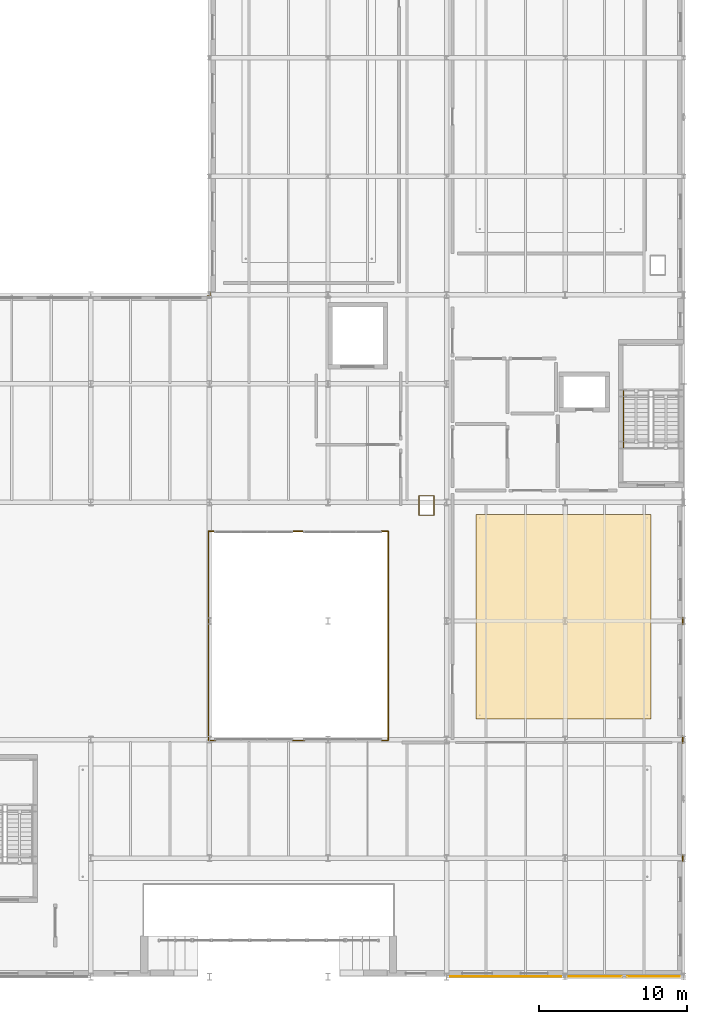
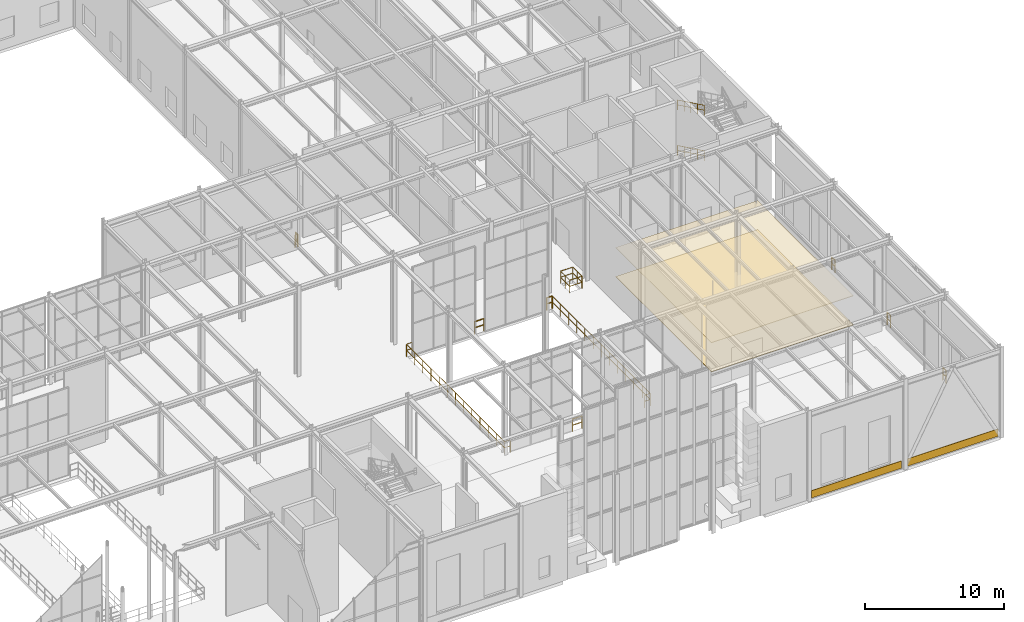
# One storey, part 135 of 138: 12 railings, 4 coverings.
"""IFC4 building model written with IfcOpenShell, lengths in metres."""

from ifc_helpers import new_model, si_unit, direction, frame, origin, origin_2d, place, context, subcontext, project, spatial, polyline, rectangle, circle, outline, extrude, material, layer, layer_set, type_object, element, save


model = new_model("IFC4")

# Units and contexts
model_context = context("Model", 3, precision=1e-05, world=origin(), true_north=direction((0.0, 1.0)))
body_context = subcontext(model_context, "Body", "Model", "MODEL_VIEW")
ifc_project = project(units=[si_unit("LENGTHUNIT", "METRE"), si_unit("AREAUNIT", "SQUARE_METRE"), si_unit("VOLUMEUNIT", "CUBIC_METRE"), si_unit("PLANEANGLEUNIT", "RADIAN"), si_unit("MASSUNIT", "GRAM", prefix="KILO")], contexts=[model_context])

# Site, building, storey
site_placement = place(None, origin())
site = spatial("IfcSite", under=ifc_project, at=site_placement, CompositionType="ELEMENT")
building_placement = place(site_placement, origin())
building = spatial("IfcBuilding", under=site, at=building_placement, Name="Sundkrona Museum", CompositionType="ELEMENT")
storey_placement = place(building_placement, frame((0.0, 0.0, 9.60009765625)))
storey = spatial("IfcBuildingStorey", under=building, at=storey_placement, Name="L02", CompositionType="ELEMENT", Elevation=9.60009765625)

# Coverings
ifc_material_1 = material(Name="Perforated Acoustic Gypsum and Mineral Wool Ceiling", Category="other")
ifc_layer_1 = layer(ifc_material_1, 0.0400390625)
ifc_layer_set_1 = layer_set([ifc_layer_1], Name="Perforated Acoustic Gypsum and Mineral Wool Ceiling")
covering_type_1 = type_object("IfcCoveringType", Name="COV-CEIL-AC", PredefinedType="CEILING", material=ifc_layer_set_1)
covering_1_placement = place(storey_placement, frame((0.0, 0.0, 2.5498046875)))
element("IfcCovering", 1, at=covering_1_placement, inside=storey, type_object=covering_type_1, Name="L02 Scandinavian Megafauna Gallery Acoustic Ceiling", PredefinedType="CEILING", context=body_context, shape_type="SweptSolid", body=[
    extrude(outline(polyline([(154.0, 17.39990234375), (165.800048828125, 17.39990234375), (165.800048828125, 31.199951171875), (154.0, 31.199951171875), (154.0, 17.39990234375)])), origin(), (0.0, 0.0, 1.0), 0.0400390625),
])
ifc_material_2 = material(Name="Frost-Resistant Vitrified Stoneware Mosaic Cladding", Category="masonry")
ifc_layer_2 = layer(ifc_material_2, 0.044921875)
ifc_layer_set_2 = layer_set([ifc_layer_2], Name="Frost-Resistant Vitrified Stoneware Mosaic Cladding")
covering_type_2 = type_object("IfcCoveringType", Name="COV-CLD-MOS", PredefinedType="CLADDING", material=ifc_layer_set_2)
for number, where, z_axis, x_axis, name in (
    (2, (156.0, 0.0, 0.094970703125), (0.0, 0.0, 1.0), (1.0, 0.0, 0.0), "L02 Vitrified Stoneware Mosaic Spandrel 009"),
    (3, (164.0, 0.0, 0.094970703125), (0.0, 0.0, 1.0), (1.0, 0.0, 0.0), "L02 Vitrified Stoneware Mosaic Spandrel 010"),
):
    element("IfcCovering", number, at=place(storey_placement, frame(where, z_axis=z_axis, x_axis=x_axis)), inside=storey, type_object=covering_type_2, Name=name, PredefinedType="CLADDING", context=body_context, shape_type="SweptSolid", body=[
        extrude(rectangle(XDim=7.49609375, YDim=0.044921875, at=origin_2d()), origin(), (0.0, 0.0, 1.0), 0.64990234375),
    ])
ifc_material_3 = material(Name="Polished Scanian Limestone Terrazzo Flooring", Category="masonry")
ifc_layer_3 = layer(ifc_material_3, 0.034912109375)
ifc_layer_set_3 = layer_set([ifc_layer_3], Name="Polished Scanian Limestone Terrazzo Flooring")
covering_type_3 = type_object("IfcCoveringType", Name="COV-FLR-TZ", PredefinedType="FLOORING", material=ifc_layer_set_3)
covering_2_placement = place(storey_placement, origin())
element("IfcCovering", 4, at=covering_2_placement, inside=storey, type_object=covering_type_3, Name="L02 Scandinavian Megafauna Gallery Terrazzo Flooring", PredefinedType="FLOORING", context=body_context, shape_type="SweptSolid", body=[
    extrude(outline(polyline([(154.0, 17.39990234375), (165.800048828125, 17.39990234375), (165.800048828125, 31.199951171875), (154.0, 31.199951171875), (154.0, 17.39990234375)])), origin(), (0.0, 0.0, 1.0), 0.034912109375),
])

# Railings
ifc_material_4 = material(Name="Painted Steel S355J2 and Laminated Glass Balustrade", Category="steel")
railing_type_1 = type_object("IfcRailingType", Name="RL-GUARD-1100", PredefinedType="BALUSTRADE", material=ifc_material_4)
railing_1_placement = place(storey_placement, frame((135.847900390625, 45.93994140625, 0.0)))
element("IfcRailing", 5, at=railing_1_placement, inside=storey, type_object=railing_type_1, Name="L02 Edge Protection Balustrade 045", PredefinedType="BALUSTRADE", context=body_context, shape_type="SweptSolid", body=[
    extrude(circle(Radius=0.02392578125, at=origin_2d()), frame((0.0, 0.0, 1.09619140625), z_axis=(1.0, 0.0, 0.0), x_axis=(0.0, 1.0, 0.0)), (0.0, 0.0, 1.0), 0.212158203125),
    extrude(circle(Radius=0.02392578125, at=origin_2d()), frame((0.0, 0.0, 0.56005859375), z_axis=(1.0, 0.0, 0.0), x_axis=(0.0, 1.0, 0.0)), (0.0, 0.0, 1.0), 0.212158203125),
    extrude(circle(Radius=0.02392578125, at=origin_2d()), frame((0.212158203125, 0.0, 1.09619140625), z_axis=(0.0, 1.0, 0.0), x_axis=(-1.0, 0.0, 0.0)), (0.0, 0.0, 1.0), 0.287109375),
    extrude(circle(Radius=0.02392578125, at=origin_2d()), frame((0.212158203125, 0.0, 0.56005859375), z_axis=(0.0, 1.0, 0.0), x_axis=(-1.0, 0.0, 0.0)), (0.0, 0.0, 1.0), 0.287109375),
    extrude(circle(Radius=0.02099609375, at=origin_2d()), origin(), (0.0, 0.0, 1.0), 1.072021484375),
    extrude(circle(Radius=0.02099609375, at=origin_2d()), frame((0.212158203125, 0.0, 0.0)), (0.0, 0.0, 1.0), 1.072021484375),
    extrude(circle(Radius=0.02099609375, at=origin_2d()), frame((0.212158203125, 0.287109375, 0.0)), (0.0, 0.0, 1.0), 1.072021484375),
])
railing_2_placement = place(storey_placement, frame((136.39990234375, 30.06005859375, 0.0)))
element("IfcRailing", 6, at=railing_2_placement, inside=storey, type_object=railing_type_1, Name="L02 Edge Protection Balustrade 048", PredefinedType="BALUSTRADE", context=body_context, shape_type="SweptSolid", body=[
    extrude(circle(Radius=0.02392578125, at=origin_2d()), frame((0.0, 0.0, 1.09619140625), z_axis=(-1.0, 0.0, 0.0), x_axis=(0.0, -1.0, 0.0)), (0.0, 0.0, 1.0), 0.4599609375),
    extrude(circle(Radius=0.02392578125, at=origin_2d()), frame((0.0, 0.0, 0.56005859375), z_axis=(-1.0, 0.0, 0.0), x_axis=(0.0, -1.0, 0.0)), (0.0, 0.0, 1.0), 0.4599609375),
    extrude(circle(Radius=0.02392578125, at=origin_2d()), frame((-0.4599609375, 0.0, 1.09619140625), z_axis=(0.0, -1.0, 0.0), x_axis=(1.0, 0.0, 0.0)), (0.0, 0.0, 1.0), 14.1201171875),
    extrude(circle(Radius=0.02392578125, at=origin_2d()), frame((-0.4599609375, 0.0, 0.56005859375), z_axis=(0.0, -1.0, 0.0), x_axis=(1.0, 0.0, 0.0)), (0.0, 0.0, 1.0), 14.1201171875),
    extrude(circle(Radius=0.02392578125, at=origin_2d()), frame((-0.4599609375, -14.1201171875, 1.09619140625), z_axis=(1.0, 0.0, 0.0), x_axis=(0.0, 1.0, 0.0)), (0.0, 0.0, 1.0), 0.4599609375),
    extrude(circle(Radius=0.02392578125, at=origin_2d()), frame((-0.4599609375, -14.1201171875, 0.56005859375), z_axis=(1.0, 0.0, 0.0), x_axis=(0.0, 1.0, 0.0)), (0.0, 0.0, 1.0), 0.4599609375),
    extrude(circle(Radius=0.02099609375, at=origin_2d()), origin(), (0.0, 0.0, 1.0), 1.072021484375),
    extrude(circle(Radius=0.02099609375, at=origin_2d()), frame((-0.4599609375, 0.0, 0.0)), (0.0, 0.0, 1.0), 1.072021484375),
    extrude(circle(Radius=0.02099609375, at=origin_2d()), frame((-0.4599609375, -1.1767578125, 0.0)), (0.0, 0.0, 1.0), 1.072021484375),
    extrude(circle(Radius=0.02099609375, at=origin_2d()), frame((-0.4599609375, -2.353271484375, 0.0)), (0.0, 0.0, 1.0), 1.072021484375),
    extrude(circle(Radius=0.02099609375, at=origin_2d()), frame((-0.4599609375, -3.530029296875, 0.0)), (0.0, 0.0, 1.0), 1.072021484375),
    extrude(circle(Radius=0.02099609375, at=origin_2d()), frame((-0.4599609375, -4.706787109375, 0.0)), (0.0, 0.0, 1.0), 1.072021484375),
    extrude(circle(Radius=0.02099609375, at=origin_2d()), frame((-0.4599609375, -5.88330078125, 0.0)), (0.0, 0.0, 1.0), 1.072021484375),
    extrude(circle(Radius=0.02099609375, at=origin_2d()), frame((-0.4599609375, -7.06005859375, 0.0)), (0.0, 0.0, 1.0), 1.072021484375),
    extrude(circle(Radius=0.02099609375, at=origin_2d()), frame((-0.4599609375, -8.23681640625, 0.0)), (0.0, 0.0, 1.0), 1.072021484375),
    extrude(circle(Radius=0.02099609375, at=origin_2d()), frame((-0.4599609375, -9.413330078125, 0.0)), (0.0, 0.0, 1.0), 1.072021484375),
    extrude(circle(Radius=0.02099609375, at=origin_2d()), frame((-0.4599609375, -10.590087890625, 0.0)), (0.0, 0.0, 1.0), 1.072021484375),
    extrude(circle(Radius=0.02099609375, at=origin_2d()), frame((-0.4599609375, -11.766845703125, 0.0)), (0.0, 0.0, 1.0), 1.072021484375),
    extrude(circle(Radius=0.02099609375, at=origin_2d()), frame((-0.4599609375, -12.943359375, 0.0)), (0.0, 0.0, 1.0), 1.072021484375),
    extrude(circle(Radius=0.02099609375, at=origin_2d()), frame((-0.4599609375, -14.1201171875, 0.0)), (0.0, 0.0, 1.0), 1.072021484375),
    extrude(circle(Radius=0.02099609375, at=origin_2d()), frame((0.0, -14.1201171875, 0.0)), (0.0, 0.0, 1.0), 1.072021484375),
])
railing_3_placement = place(storey_placement, frame((141.60009765625, 15.93994140625, 0.0)))
element("IfcRailing", 7, at=railing_3_placement, inside=storey, type_object=railing_type_1, Name="L02 Edge Protection Balustrade 049", PredefinedType="BALUSTRADE", context=body_context, shape_type="SweptSolid", body=[
    extrude(circle(Radius=0.02392578125, at=origin_2d()), frame((0.0, 0.0, 1.09619140625), z_axis=(1.0, 0.0, 0.0), x_axis=(0.0, 1.0, 0.0)), (0.0, 0.0, 1.0), 0.7998046875),
    extrude(circle(Radius=0.02392578125, at=origin_2d()), frame((0.0, 0.0, 0.56005859375), z_axis=(1.0, 0.0, 0.0), x_axis=(0.0, 1.0, 0.0)), (0.0, 0.0, 1.0), 0.7998046875),
    extrude(circle(Radius=0.02099609375, at=origin_2d()), origin(), (0.0, 0.0, 1.0), 1.072021484375),
    extrude(circle(Radius=0.02099609375, at=origin_2d()), frame((0.7998046875, 0.0, 0.0)), (0.0, 0.0, 1.0), 1.072021484375),
])
railing_4_placement = place(storey_placement, frame((142.39990234375, 30.06005859375, 0.0)))
element("IfcRailing", 8, at=railing_4_placement, inside=storey, type_object=railing_type_1, Name="L02 Edge Protection Balustrade 050", PredefinedType="BALUSTRADE", context=body_context, shape_type="SweptSolid", body=[
    extrude(circle(Radius=0.02392578125, at=origin_2d()), frame((0.0, 0.0, 1.09619140625), z_axis=(-1.0, 0.0, 0.0), x_axis=(0.0, -1.0, 0.0)), (0.0, 0.0, 1.0), 0.7998046875),
    extrude(circle(Radius=0.02392578125, at=origin_2d()), frame((0.0, 0.0, 0.56005859375), z_axis=(-1.0, 0.0, 0.0), x_axis=(0.0, -1.0, 0.0)), (0.0, 0.0, 1.0), 0.7998046875),
    extrude(circle(Radius=0.02099609375, at=origin_2d()), origin(), (0.0, 0.0, 1.0), 1.072021484375),
    extrude(circle(Radius=0.02099609375, at=origin_2d()), frame((-0.7998046875, 0.0, 0.0)), (0.0, 0.0, 1.0), 1.072021484375),
])
railing_5_placement = place(storey_placement, frame((147.60009765625, 15.93994140625, 0.0)))
element("IfcRailing", 9, at=railing_5_placement, inside=storey, type_object=railing_type_1, Name="L02 Edge Protection Balustrade 053", PredefinedType="BALUSTRADE", context=body_context, shape_type="SweptSolid", body=[
    extrude(circle(Radius=0.02392578125, at=origin_2d()), frame((0.0, 0.0, 1.09619140625), z_axis=(1.0, 0.0, 0.0), x_axis=(0.0, 1.0, 0.0)), (0.0, 0.0, 1.0), 0.4599609375),
    extrude(circle(Radius=0.02392578125, at=origin_2d()), frame((0.0, 0.0, 0.56005859375), z_axis=(1.0, 0.0, 0.0), x_axis=(0.0, 1.0, 0.0)), (0.0, 0.0, 1.0), 0.4599609375),
    extrude(circle(Radius=0.02392578125, at=origin_2d()), frame((0.4599609375, 0.0, 1.09619140625), z_axis=(0.0, 1.0, 0.0), x_axis=(-1.0, 0.0, 0.0)), (0.0, 0.0, 1.0), 14.1201171875),
    extrude(circle(Radius=0.02392578125, at=origin_2d()), frame((0.4599609375, 0.0, 0.56005859375), z_axis=(0.0, 1.0, 0.0), x_axis=(-1.0, 0.0, 0.0)), (0.0, 0.0, 1.0), 14.1201171875),
    extrude(circle(Radius=0.02099609375, at=origin_2d()), origin(), (0.0, 0.0, 1.0), 1.072021484375),
    extrude(circle(Radius=0.02099609375, at=origin_2d()), frame((0.4599609375, 0.0, 0.0)), (0.0, 0.0, 1.0), 1.072021484375),
    extrude(circle(Radius=0.02099609375, at=origin_2d()), frame((0.4599609375, 1.1767578125, 0.0)), (0.0, 0.0, 1.0), 1.072021484375),
    extrude(circle(Radius=0.02099609375, at=origin_2d()), frame((0.4599609375, 2.353271484375, 0.0)), (0.0, 0.0, 1.0), 1.072021484375),
    extrude(circle(Radius=0.02099609375, at=origin_2d()), frame((0.4599609375, 3.530029296875, 0.0)), (0.0, 0.0, 1.0), 1.072021484375),
    extrude(circle(Radius=0.02099609375, at=origin_2d()), frame((0.4599609375, 4.706787109375, 0.0)), (0.0, 0.0, 1.0), 1.072021484375),
    extrude(circle(Radius=0.02099609375, at=origin_2d()), frame((0.4599609375, 5.88330078125, 0.0)), (0.0, 0.0, 1.0), 1.072021484375),
    extrude(circle(Radius=0.02099609375, at=origin_2d()), frame((0.4599609375, 7.06005859375, 0.0)), (0.0, 0.0, 1.0), 1.072021484375),
    extrude(circle(Radius=0.02099609375, at=origin_2d()), frame((0.4599609375, 8.23681640625, 0.0)), (0.0, 0.0, 1.0), 1.072021484375),
    extrude(circle(Radius=0.02099609375, at=origin_2d()), frame((0.4599609375, 9.413330078125, 0.0)), (0.0, 0.0, 1.0), 1.072021484375),
    extrude(circle(Radius=0.02099609375, at=origin_2d()), frame((0.4599609375, 10.590087890625, 0.0)), (0.0, 0.0, 1.0), 1.072021484375),
    extrude(circle(Radius=0.02099609375, at=origin_2d()), frame((0.4599609375, 11.766845703125, 0.0)), (0.0, 0.0, 1.0), 1.072021484375),
    extrude(circle(Radius=0.02099609375, at=origin_2d()), frame((0.4599609375, 12.943359375, 0.0)), (0.0, 0.0, 1.0), 1.072021484375),
    extrude(circle(Radius=0.02099609375, at=origin_2d()), frame((0.4599609375, 14.1201171875, 0.0)), (0.0, 0.0, 1.0), 1.072021484375),
])
railing_6_placement = place(storey_placement, frame((148.06005859375, 30.06005859375, 0.0)))
element("IfcRailing", 10, at=railing_6_placement, inside=storey, type_object=railing_type_1, Name="L02 Edge Protection Balustrade 054", PredefinedType="BALUSTRADE", context=body_context, shape_type="SweptSolid", body=[
    extrude(circle(Radius=0.02392578125, at=origin_2d()), frame((0.0, 0.0, 1.09619140625), z_axis=(-1.0, 0.0, 0.0), x_axis=(0.0, -1.0, 0.0)), (0.0, 0.0, 1.0), 0.4599609375),
    extrude(circle(Radius=0.02392578125, at=origin_2d()), frame((0.0, 0.0, 0.56005859375), z_axis=(-1.0, 0.0, 0.0), x_axis=(0.0, -1.0, 0.0)), (0.0, 0.0, 1.0), 0.4599609375),
    extrude(circle(Radius=0.02099609375, at=origin_2d()), origin(), (0.0, 0.0, 1.0), 1.072021484375),
    extrude(circle(Radius=0.02099609375, at=origin_2d()), frame((-0.4599609375, 0.0, 0.0)), (0.0, 0.0, 1.0), 1.072021484375),
])
railing_7_placement = place(storey_placement, frame((151.159912109375, 32.4599609375, 0.0)))
element("IfcRailing", 11, at=railing_7_placement, inside=storey, type_object=railing_type_1, Name="L02 Edge Protection Balustrade 055", PredefinedType="BALUSTRADE", context=body_context, shape_type="SweptSolid", body=[
    extrude(circle(Radius=0.02392578125, at=origin_2d()), frame((0.0, 0.0, 1.09619140625), z_axis=(-1.0, 0.0, 0.0), x_axis=(0.0, -1.0, 0.0)), (0.0, 0.0, 1.0), 1.02001953125),
    extrude(circle(Radius=0.02392578125, at=origin_2d()), frame((0.0, 0.0, 0.56005859375), z_axis=(-1.0, 0.0, 0.0), x_axis=(0.0, -1.0, 0.0)), (0.0, 0.0, 1.0), 1.02001953125),
    extrude(circle(Radius=0.02392578125, at=origin_2d()), frame((-1.02001953125, 0.0, 1.09619140625), z_axis=(0.0, -1.0, 0.0), x_axis=(1.0, 0.0, 0.0)), (0.0, 0.0, 1.0), 1.320068359375),
    extrude(circle(Radius=0.02392578125, at=origin_2d()), frame((-1.02001953125, 0.0, 0.56005859375), z_axis=(0.0, -1.0, 0.0), x_axis=(1.0, 0.0, 0.0)), (0.0, 0.0, 1.0), 1.320068359375),
    extrude(circle(Radius=0.02392578125, at=origin_2d()), frame((-1.02001953125, -1.320068359375, 1.09619140625), z_axis=(1.0, 0.0, 0.0), x_axis=(0.0, 1.0, 0.0)), (0.0, 0.0, 1.0), 1.02001953125),
    extrude(circle(Radius=0.02392578125, at=origin_2d()), frame((-1.02001953125, -1.320068359375, 0.56005859375), z_axis=(1.0, 0.0, 0.0), x_axis=(0.0, 1.0, 0.0)), (0.0, 0.0, 1.0), 1.02001953125),
    extrude(circle(Radius=0.02392578125, at=origin_2d()), frame((0.0, -1.320068359375, 1.09619140625), z_axis=(0.0, 1.0, 0.0), x_axis=(-1.0, 0.0, 0.0)), (0.0, 0.0, 1.0), 1.320068359375),
    extrude(circle(Radius=0.02392578125, at=origin_2d()), frame((0.0, -1.320068359375, 0.56005859375), z_axis=(0.0, 1.0, 0.0), x_axis=(-1.0, 0.0, 0.0)), (0.0, 0.0, 1.0), 1.320068359375),
    extrude(circle(Radius=0.02099609375, at=origin_2d()), origin(), (0.0, 0.0, 1.0), 1.072021484375),
    extrude(circle(Radius=0.02099609375, at=origin_2d()), frame((-1.02001953125, 0.0, 0.0)), (0.0, 0.0, 1.0), 1.072021484375),
    extrude(circle(Radius=0.02099609375, at=origin_2d()), frame((-1.02001953125, -0.66015625, 0.0)), (0.0, 0.0, 1.0), 1.072021484375),
    extrude(circle(Radius=0.02099609375, at=origin_2d()), frame((-1.02001953125, -1.320068359375, 0.0)), (0.0, 0.0, 1.0), 1.072021484375),
    extrude(circle(Radius=0.02099609375, at=origin_2d()), frame((0.0, -1.320068359375, 0.0)), (0.0, 0.0, 1.0), 1.072021484375),
    extrude(circle(Radius=0.02099609375, at=origin_2d()), frame((0.0, -0.66015625, 0.0)), (0.0, 0.0, 1.0), 1.072021484375),
])
for number, where, name in (
    (12, (167.93994140625, 8.22705078125, 0.0), "L02 Edge Protection Balustrade 059"),
    (13, (167.93994140625, 16.22705078125, 0.0), "L02 Edge Protection Balustrade 060"),
    (14, (167.93994140625, 24.22705078125, 0.0), "L02 Edge Protection Balustrade 061"),
):
    element("IfcRailing", number, at=place(storey_placement, frame(where)), inside=storey, type_object=railing_type_1, Name=name, PredefinedType="BALUSTRADE", context=body_context, shape_type="SweptSolid", body=[
        extrude(circle(Radius=0.02392578125, at=origin_2d()), frame((0.0, 0.0, 1.09619140625), z_axis=(0.0, -1.0, 0.0), x_axis=(1.0, 0.0, 0.0)), (0.0, 0.0, 1.0), 0.4541015625),
        extrude(circle(Radius=0.02392578125, at=origin_2d()), frame((0.0, 0.0, 0.56005859375), z_axis=(0.0, -1.0, 0.0), x_axis=(1.0, 0.0, 0.0)), (0.0, 0.0, 1.0), 0.4541015625),
        extrude(circle(Radius=0.02099609375, at=origin_2d()), origin(), (0.0, 0.0, 1.0), 1.072021484375),
        extrude(circle(Radius=0.02099609375, at=origin_2d()), frame((0.0, -0.4541015625, 0.0)), (0.0, 0.0, 1.0), 1.072021484375),
    ])
ifc_material_5 = material(Name="Brushed Bronze-Clad Steel Handrail", Category="steel")
railing_type_2 = type_object("IfcRailingType", Name="RL-HAND-900", PredefinedType="HANDRAIL", material=ifc_material_5)
for number, where, name in (
    (15, (163.949951171875, 39.534912109375, 2.142822265625), "L02 ST-1 stair handrail 2"),
    (16, (163.949951171875, 39.534912109375, 6.142822265625), "L02 ST-1 stair handrail 4"),
):
    element("IfcRailing", number, at=place(storey_placement, frame(where)), inside=storey, type_object=railing_type_2, Name=name, PredefinedType="HANDRAIL", context=body_context, shape_type="SweptSolid", body=[
        extrude(circle(Radius=0.02392578125, at=origin_2d()), frame((0.0, 0.0, 0.8759765625), z_axis=(0.0, -0.900016444443, 0.435855939195), x_axis=(1.0, 0.0, 0.0)), (0.0, 0.0, 1.0), 4.260986328125),
        extrude(circle(Radius=0.02392578125, at=origin_2d()), frame((0.0, 0.0, 0.449951171875), z_axis=(0.0, -0.900016444443, 0.435855939195), x_axis=(1.0, 0.0, 0.0)), (0.0, 0.0, 1.0), 4.260986328125),
        extrude(circle(Radius=0.02099609375, at=origin_2d()), origin(), (0.0, 0.0, 1.0), 0.851806640625),
        extrude(circle(Radius=0.02099609375, at=origin_2d()), frame((0.0, -0.958740234375, 0.46435546875)), (0.0, 0.0, 1.0), 0.851806640625),
        extrude(circle(Radius=0.02099609375, at=origin_2d()), frame((0.0, -1.91748046875, 0.9287109375)), (0.0, 0.0, 1.0), 0.851806640625),
        extrude(circle(Radius=0.02099609375, at=origin_2d()), frame((0.0, -2.876220703125, 1.392822265625)), (0.0, 0.0, 1.0), 0.851806640625),
        extrude(circle(Radius=0.02099609375, at=origin_2d()), frame((0.0, -3.8349609375, 1.857177734375)), (0.0, 0.0, 1.0), 0.851806640625),
    ])

save(model, "model.ifc")
